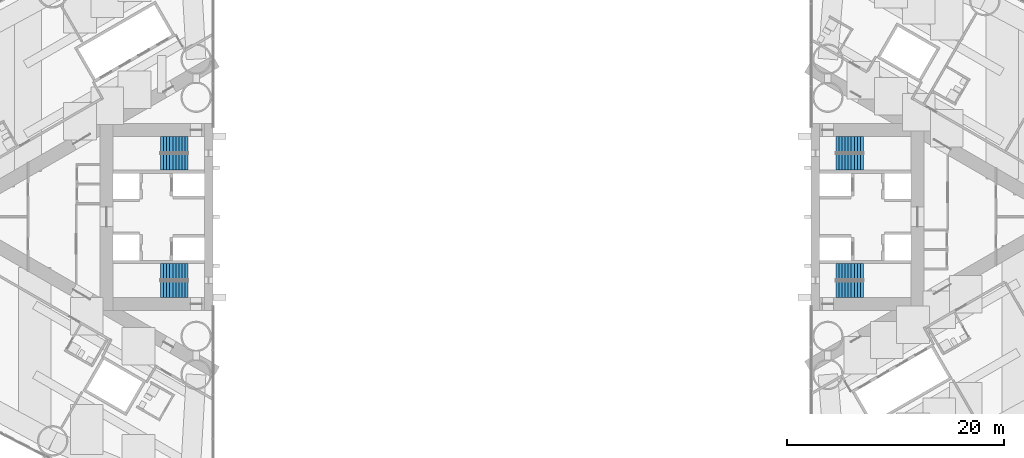
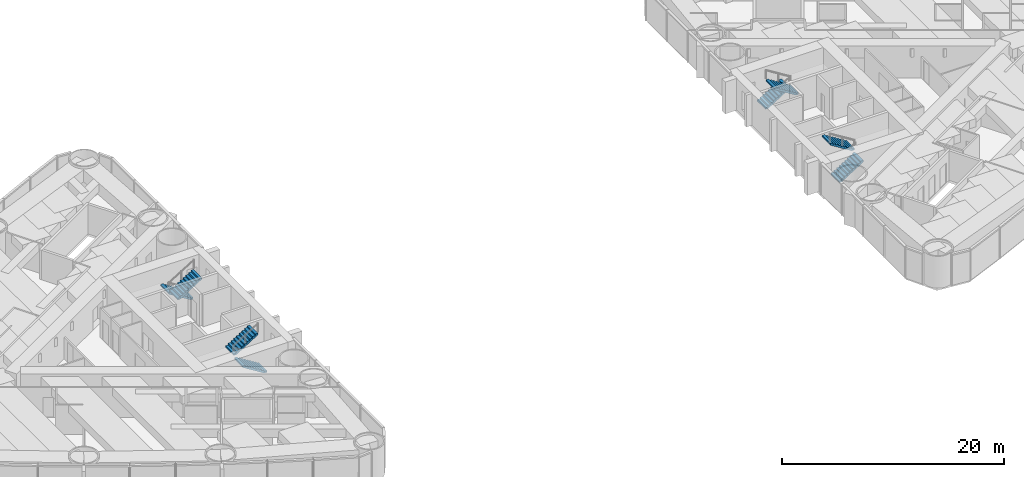
# One storey, part 17 of 19: 8 stair flights, 4 elements without a shape of their own.
"""IFC4 building model written with IfcOpenShell, lengths in metres."""

from ifc_helpers import new_model, si_unit, direction, frame, origin, place, context, subcontext, project, spatial, polyline, outline, extrude, material, type_object, element, aggregate, save


model = new_model("IFC4")

# Units and contexts
model_context = context("Model", 3, precision=1e-05, world=origin(), true_north=direction((0.0, 1.0)))
body_context = subcontext(model_context, "Body", "Model", "MODEL_VIEW")
ifc_project = project(units=[si_unit("LENGTHUNIT", "METRE"), si_unit("AREAUNIT", "SQUARE_METRE"), si_unit("VOLUMEUNIT", "CUBIC_METRE"), si_unit("PLANEANGLEUNIT", "RADIAN"), si_unit("MASSUNIT", "GRAM", prefix="KILO")], contexts=[model_context])

# Site, building, storey
site_placement = place(None, origin())
site = spatial("IfcSite", under=ifc_project, at=site_placement, CompositionType="ELEMENT")
building_placement = place(site_placement, origin())
building = spatial("IfcBuilding", under=site, at=building_placement, Name="Lancet Gate Hotel", CompositionType="ELEMENT")
storey_placement = place(building_placement, frame((0.0, 0.0, 18.0)))
storey = spatial("IfcBuildingStorey", under=building, at=storey_placement, Name="L03", CompositionType="ELEMENT", Elevation=18.0)

# Stair, stair flights
ifc_material_1 = material(Name="Exit stair 20 risers 1500")
stair_type = type_object("IfcStairType", Name="Exit stair 20 risers 1500", PredefinedType="HALF_TURN_STAIR", material=ifc_material_1)
stair_1_placement = place(storey_placement, origin())
stair_1 = element("IfcStair", 1, at=stair_1_placement, inside=storey, type_object=stair_type, Name="T1 stair 1 L03", PredefinedType="HALF_TURN_STAIR")
ifc_material_2 = material(Name="Stair flight 10 risers 175 rise 1500")
stair_flight_type = type_object("IfcStairFlightType", Name="Stair flight 10 risers 175 rise 1500", PredefinedType="STRAIGHT", material=ifc_material_2)
stair_flight_1_placement = place(storey_placement, frame((-29.800048828125, 6.64990234375, 0.0), z_axis=(0.0, 0.0, 1.0), x_axis=(-1.0, 0.0, 0.0)))
stair_flight_1 = element("IfcStairFlight", 2, at=stair_flight_1_placement, type_object=stair_flight_type, Name="ST1 flight 1", NumberOfRisers=10, NumberOfTreads=9, PredefinedType="STRAIGHT", RiserHeight=0.175, TreadLength=0.28, context=body_context, shape_type="SweptSolid", body=[
    extrude(outline(polyline([(0.0, 0.0), (0.0, 0.175048828125), (0.280029296875, 0.175048828125), (0.280029296875, 0.35009765625), (0.56005859375, 0.35009765625), (0.56005859375, 0.52490234375), (0.840087890625, 0.52490234375), (0.840087890625, 0.699951171875), (1.1201171875, 0.699951171875), (1.1201171875, 0.875), (1.39990234375, 0.875), (1.39990234375, 1.050048828125), (1.679931640625, 1.050048828125), (1.679931640625, 1.22509765625), (1.9599609375, 1.22509765625), (1.9599609375, 1.39990234375), (2.239990234375, 1.39990234375), (2.239990234375, 1.574951171875), (2.52001953125, 1.574951171875), (2.52001953125, 1.75), (2.52001953125, 1.398193359375), (0.28271484375, 0.0), (0.0, 0.0)])), frame((0.0, 0.75, 0.0), z_axis=(0.0, -1.0, 0.0), x_axis=(1.0, 0.0, 0.0)), (0.0, 0.0, 1.0), 1.5),
])
stair_flight_2_placement = place(storey_placement, frame((-32.320068359375, 5.050048828125, 1.75), z_axis=(0.0, 0.0, 1.0), x_axis=(1.0, 0.0, 0.0)))
stair_flight_2 = element("IfcStairFlight", 3, at=stair_flight_2_placement, type_object=stair_flight_type, Name="ST1 flight 2", NumberOfRisers=10, NumberOfTreads=9, PredefinedType="STRAIGHT", RiserHeight=0.175, TreadLength=0.28, context=body_context, shape_type="SweptSolid", body=[
    extrude(outline(polyline([(0.0, 0.0), (0.0, 0.175048828125), (0.280029296875, 0.175048828125), (0.280029296875, 0.35009765625), (0.56005859375, 0.35009765625), (0.56005859375, 0.52490234375), (0.840087890625, 0.52490234375), (0.840087890625, 0.699951171875), (1.1201171875, 0.699951171875), (1.1201171875, 0.875), (1.39990234375, 0.875), (1.39990234375, 1.050048828125), (1.679931640625, 1.050048828125), (1.679931640625, 1.22509765625), (1.9599609375, 1.22509765625), (1.9599609375, 1.39990234375), (2.239990234375, 1.39990234375), (2.239990234375, 1.574951171875), (2.52001953125, 1.574951171875), (2.52001953125, 1.75), (2.52001953125, 1.398193359375), (0.28271484375, 0.0), (0.0, 0.0)])), frame((0.0, 0.75, 0.0), z_axis=(0.0, -1.0, 0.0), x_axis=(1.0, 0.0, 0.0)), (0.0, 0.0, 1.0), 1.5),
])
aggregate(stair_1, [stair_flight_1, stair_flight_2])

stair_2_placement = place(storey_placement, origin())
stair_2 = element("IfcStair", 4, at=stair_2_placement, inside=storey, type_object=stair_type, Name="T1 stair 2 L03", PredefinedType="HALF_TURN_STAIR")
stair_flight_3_placement = place(storey_placement, frame((-29.800048828125, -6.64990234375, 0.0), z_axis=(0.0, 0.0, 1.0), x_axis=(-1.0, 0.0, 0.0)))
stair_flight_3 = element("IfcStairFlight", 5, at=stair_flight_3_placement, type_object=stair_flight_type, Name="ST2 flight 1", NumberOfRisers=10, NumberOfTreads=9, PredefinedType="STRAIGHT", RiserHeight=0.175, TreadLength=0.28, context=body_context, shape_type="SweptSolid", body=[
    extrude(outline(polyline([(0.0, 0.0), (0.0, 0.175048828125), (0.280029296875, 0.175048828125), (0.280029296875, 0.35009765625), (0.56005859375, 0.35009765625), (0.56005859375, 0.52490234375), (0.840087890625, 0.52490234375), (0.840087890625, 0.699951171875), (1.1201171875, 0.699951171875), (1.1201171875, 0.875), (1.39990234375, 0.875), (1.39990234375, 1.050048828125), (1.679931640625, 1.050048828125), (1.679931640625, 1.22509765625), (1.9599609375, 1.22509765625), (1.9599609375, 1.39990234375), (2.239990234375, 1.39990234375), (2.239990234375, 1.574951171875), (2.52001953125, 1.574951171875), (2.52001953125, 1.75), (2.52001953125, 1.398193359375), (0.28271484375, 0.0), (0.0, 0.0)])), frame((0.0, 0.75, 0.0), z_axis=(0.0, -1.0, 0.0), x_axis=(1.0, 0.0, 0.0)), (0.0, 0.0, 1.0), 1.5),
])
stair_flight_4_placement = place(storey_placement, frame((-32.320068359375, -5.050048828125, 1.75), z_axis=(0.0, 0.0, 1.0), x_axis=(1.0, 0.0, 0.0)))
stair_flight_4 = element("IfcStairFlight", 6, at=stair_flight_4_placement, type_object=stair_flight_type, Name="ST2 flight 2", NumberOfRisers=10, NumberOfTreads=9, PredefinedType="STRAIGHT", RiserHeight=0.175, TreadLength=0.28, context=body_context, shape_type="SweptSolid", body=[
    extrude(outline(polyline([(0.0, 0.0), (0.0, 0.175048828125), (0.280029296875, 0.175048828125), (0.280029296875, 0.35009765625), (0.56005859375, 0.35009765625), (0.56005859375, 0.52490234375), (0.840087890625, 0.52490234375), (0.840087890625, 0.699951171875), (1.1201171875, 0.699951171875), (1.1201171875, 0.875), (1.39990234375, 0.875), (1.39990234375, 1.050048828125), (1.679931640625, 1.050048828125), (1.679931640625, 1.22509765625), (1.9599609375, 1.22509765625), (1.9599609375, 1.39990234375), (2.239990234375, 1.39990234375), (2.239990234375, 1.574951171875), (2.52001953125, 1.574951171875), (2.52001953125, 1.75), (2.52001953125, 1.398193359375), (0.28271484375, 0.0), (0.0, 0.0)])), frame((0.0, 0.75, 0.0), z_axis=(0.0, -1.0, 0.0), x_axis=(1.0, 0.0, 0.0)), (0.0, 0.0, 1.0), 1.5),
])
aggregate(stair_2, [stair_flight_3, stair_flight_4])

stair_3_placement = place(storey_placement, origin())
stair_3 = element("IfcStair", 7, at=stair_3_placement, inside=storey, type_object=stair_type, Name="T2 stair 1 L03", PredefinedType="HALF_TURN_STAIR")
stair_flight_5_placement = place(storey_placement, frame((29.800048828125, -6.64990234375, 0.0), z_axis=(0.0, 0.0, 1.0), x_axis=(1.0, 0.0, 0.0)))
stair_flight_5 = element("IfcStairFlight", 8, at=stair_flight_5_placement, type_object=stair_flight_type, Name="ST3 flight 1", NumberOfRisers=10, NumberOfTreads=9, PredefinedType="STRAIGHT", RiserHeight=0.175, TreadLength=0.28, context=body_context, shape_type="SweptSolid", body=[
    extrude(outline(polyline([(0.0, 0.0), (0.0, 0.175048828125), (0.280029296875, 0.175048828125), (0.280029296875, 0.35009765625), (0.56005859375, 0.35009765625), (0.56005859375, 0.52490234375), (0.840087890625, 0.52490234375), (0.840087890625, 0.699951171875), (1.1201171875, 0.699951171875), (1.1201171875, 0.875), (1.39990234375, 0.875), (1.39990234375, 1.050048828125), (1.679931640625, 1.050048828125), (1.679931640625, 1.22509765625), (1.9599609375, 1.22509765625), (1.9599609375, 1.39990234375), (2.239990234375, 1.39990234375), (2.239990234375, 1.574951171875), (2.52001953125, 1.574951171875), (2.52001953125, 1.75), (2.52001953125, 1.398193359375), (0.28271484375, 0.0), (0.0, 0.0)])), frame((0.0, 0.75, 0.0), z_axis=(0.0, -1.0, 0.0), x_axis=(1.0, 0.0, 0.0)), (0.0, 0.0, 1.0), 1.5),
])
stair_flight_6_placement = place(storey_placement, frame((32.320068359375, -5.050048828125, 1.75), z_axis=(0.0, 0.0, 1.0), x_axis=(-1.0, 0.0, 0.0)))
stair_flight_6 = element("IfcStairFlight", 9, at=stair_flight_6_placement, type_object=stair_flight_type, Name="ST3 flight 2", NumberOfRisers=10, NumberOfTreads=9, PredefinedType="STRAIGHT", RiserHeight=0.175, TreadLength=0.28, context=body_context, shape_type="SweptSolid", body=[
    extrude(outline(polyline([(0.0, 0.0), (0.0, 0.175048828125), (0.280029296875, 0.175048828125), (0.280029296875, 0.35009765625), (0.56005859375, 0.35009765625), (0.56005859375, 0.52490234375), (0.840087890625, 0.52490234375), (0.840087890625, 0.699951171875), (1.1201171875, 0.699951171875), (1.1201171875, 0.875), (1.39990234375, 0.875), (1.39990234375, 1.050048828125), (1.679931640625, 1.050048828125), (1.679931640625, 1.22509765625), (1.9599609375, 1.22509765625), (1.9599609375, 1.39990234375), (2.239990234375, 1.39990234375), (2.239990234375, 1.574951171875), (2.52001953125, 1.574951171875), (2.52001953125, 1.75), (2.52001953125, 1.398193359375), (0.28271484375, 0.0), (0.0, 0.0)])), frame((0.0, 0.75, 0.0), z_axis=(0.0, -1.0, 0.0), x_axis=(1.0, 0.0, 0.0)), (0.0, 0.0, 1.0), 1.5),
])
aggregate(stair_3, [stair_flight_5, stair_flight_6])

stair_4_placement = place(storey_placement, origin())
stair_4 = element("IfcStair", 10, at=stair_4_placement, inside=storey, type_object=stair_type, Name="T2 stair 2 L03", PredefinedType="HALF_TURN_STAIR")
stair_flight_7_placement = place(storey_placement, frame((29.800048828125, 6.64990234375, 0.0), z_axis=(0.0, 0.0, 1.0), x_axis=(1.0, 0.0, 0.0)))
stair_flight_7 = element("IfcStairFlight", 11, at=stair_flight_7_placement, type_object=stair_flight_type, Name="ST4 flight 1", NumberOfRisers=10, NumberOfTreads=9, PredefinedType="STRAIGHT", RiserHeight=0.175, TreadLength=0.28, context=body_context, shape_type="SweptSolid", body=[
    extrude(outline(polyline([(0.0, 0.0), (0.0, 0.175048828125), (0.280029296875, 0.175048828125), (0.280029296875, 0.35009765625), (0.56005859375, 0.35009765625), (0.56005859375, 0.52490234375), (0.840087890625, 0.52490234375), (0.840087890625, 0.699951171875), (1.1201171875, 0.699951171875), (1.1201171875, 0.875), (1.39990234375, 0.875), (1.39990234375, 1.050048828125), (1.679931640625, 1.050048828125), (1.679931640625, 1.22509765625), (1.9599609375, 1.22509765625), (1.9599609375, 1.39990234375), (2.239990234375, 1.39990234375), (2.239990234375, 1.574951171875), (2.52001953125, 1.574951171875), (2.52001953125, 1.75), (2.52001953125, 1.398193359375), (0.28271484375, 0.0), (0.0, 0.0)])), frame((0.0, 0.75, 0.0), z_axis=(0.0, -1.0, 0.0), x_axis=(1.0, 0.0, 0.0)), (0.0, 0.0, 1.0), 1.5),
])
stair_flight_8_placement = place(storey_placement, frame((32.320068359375, 5.050048828125, 1.75), z_axis=(0.0, 0.0, 1.0), x_axis=(-1.0, 0.0, 0.0)))
stair_flight_8 = element("IfcStairFlight", 12, at=stair_flight_8_placement, type_object=stair_flight_type, Name="ST4 flight 2", NumberOfRisers=10, NumberOfTreads=9, PredefinedType="STRAIGHT", RiserHeight=0.175, TreadLength=0.28, context=body_context, shape_type="SweptSolid", body=[
    extrude(outline(polyline([(0.0, 0.0), (0.0, 0.175048828125), (0.280029296875, 0.175048828125), (0.280029296875, 0.35009765625), (0.56005859375, 0.35009765625), (0.56005859375, 0.52490234375), (0.840087890625, 0.52490234375), (0.840087890625, 0.699951171875), (1.1201171875, 0.699951171875), (1.1201171875, 0.875), (1.39990234375, 0.875), (1.39990234375, 1.050048828125), (1.679931640625, 1.050048828125), (1.679931640625, 1.22509765625), (1.9599609375, 1.22509765625), (1.9599609375, 1.39990234375), (2.239990234375, 1.39990234375), (2.239990234375, 1.574951171875), (2.52001953125, 1.574951171875), (2.52001953125, 1.75), (2.52001953125, 1.398193359375), (0.28271484375, 0.0), (0.0, 0.0)])), frame((0.0, 0.75, 0.0), z_axis=(0.0, -1.0, 0.0), x_axis=(1.0, 0.0, 0.0)), (0.0, 0.0, 1.0), 1.5),
])
aggregate(stair_4, [stair_flight_7, stair_flight_8])

save(model, "model.ifc")
